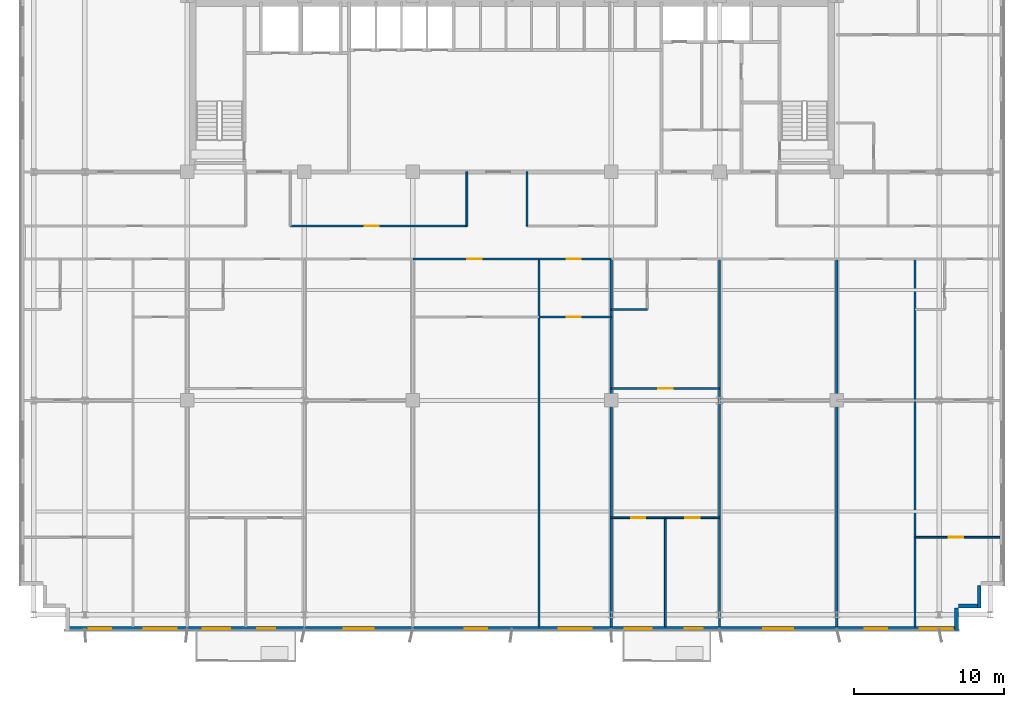
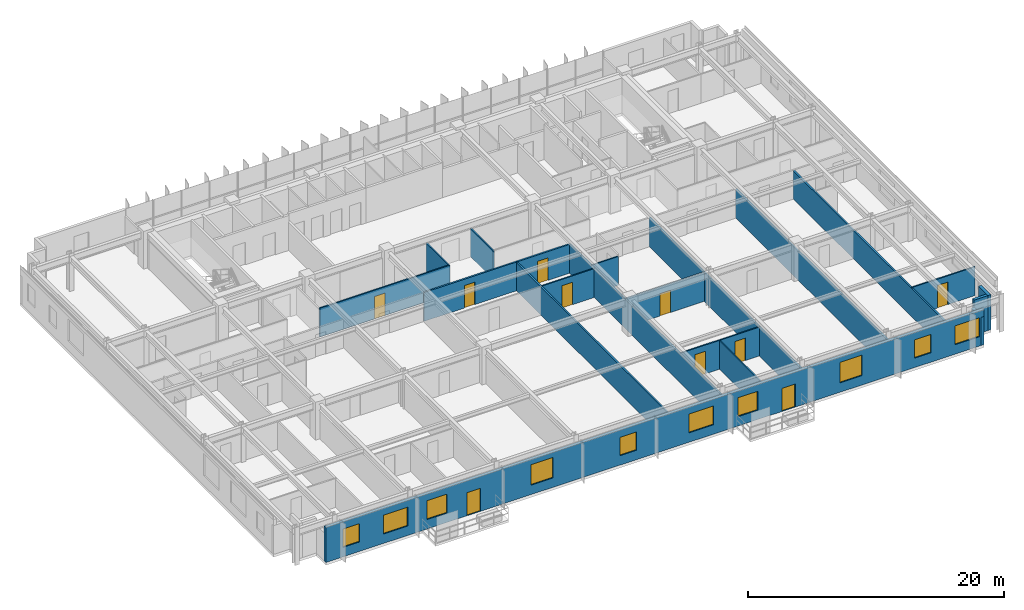
# One storey, part 16 of 22: 21 walls, 10 doors, 10 windows, 20 openings.
"""IFC4 building model written with IfcOpenShell, lengths in metres."""

from ifc_helpers import new_model, si_unit, direction, frame, frame_2d, origin, place, context, subcontext, project, spatial, rectangle, extrude, source, transform, mapped, material, layer, layer_set, type_object, element, fill, save


model = new_model("IFC4")

# Units and contexts
model_context = context("Model", 3, precision=1e-05, world=origin(), true_north=direction((0.0, 1.0)))
body_context = subcontext(model_context, "Body", "Model", "MODEL_VIEW")
ifc_project = project(units=[si_unit("LENGTHUNIT", "METRE"), si_unit("AREAUNIT", "SQUARE_METRE"), si_unit("VOLUMEUNIT", "CUBIC_METRE"), si_unit("PLANEANGLEUNIT", "RADIAN"), si_unit("MASSUNIT", "GRAM", prefix="KILO")], contexts=[model_context])

# Site, building, storey
site_placement = place(None, origin())
site = spatial("IfcSite", under=ifc_project, at=site_placement, CompositionType="ELEMENT")
building_placement = place(site_placement, origin())
building = spatial("IfcBuilding", under=site, at=building_placement, Name="Trelvane Seafront Commons", CompositionType="ELEMENT")
storey_placement = place(building_placement, frame((0.0, 0.0, 45.10009765625)))
storey = spatial("IfcBuildingStorey", under=building, at=storey_placement, Name="L11", CompositionType="ELEMENT", Elevation=45.10009765625)

# Walls
ifc_material_1 = material(Name="Precast concrete C40/50", Category="concrete")
ifc_layer_1 = layer(ifc_material_1, 0.260009765625, Name="ARCH-WALL-EXT260")
ifc_layer_set_1 = layer_set([ifc_layer_1], Name="Precast concrete C40/50")
wall_type_1 = type_object("IfcWallType", Name="ARCH-WALL-EXT260", PredefinedType="SOLIDWALL", material=ifc_layer_set_1)
for number, where, z_axis, x_axis, name in (
    (1, (68.27001953125, 5.89990234375, 0.0), (0.0, 0.0, 1.0), (0.0, -1.0, 0.0), "EW-L11-00187"),
    (2, (68.39990234375, 4.530029296875, 0.0), (0.0, 0.0, 1.0), (-1.0, 0.0, 0.0), "EW-L11-00188"),
):
    element("IfcWall", number, at=place(storey_placement, frame(where, z_axis=z_axis, x_axis=x_axis)), inside=storey, type_object=wall_type_1, Name=name, PredefinedType="SOLIDWALL", context=body_context, shape_type="SweptSolid", body=[
        extrude(rectangle(XDim=1.5, YDim=0.260009765625, at=frame_2d((0.75, 0.0))), origin(), (0.0, 0.0, 1.0), 3.33984375),
    ])
wall_1_placement = place(storey_placement, frame((66.77001953125, 4.39990234375, 0.0), z_axis=(0.0, 0.0, 1.0), x_axis=(0.0, -1.0, 0.0)))
element("IfcWall", 3, at=wall_1_placement, inside=storey, type_object=wall_type_1, Name="EW-L11-00189", PredefinedType="SOLIDWALL", context=body_context, shape_type="SweptSolid", body=[
    extrude(rectangle(XDim=1.5, YDim=0.260009765625, at=frame_2d((0.75, 0.0))), origin(), (0.0, 0.0, 1.0), 2.68994140625),
])

# Wall, openings, doors, windows
wall_2_placement = place(storey_placement, frame((66.89990234375, 3.030029296875, 0.0), z_axis=(0.0, 0.0, 1.0), x_axis=(-1.0, 0.0, 0.0)))
wall_2 = element("IfcWall", 4, at=wall_2_placement, inside=storey, type_object=wall_type_1, Name="EW-L11-00190", PredefinedType="SOLIDWALL", context=body_context, shape_type="SweptSolid", body=[
    extrude(rectangle(XDim=59.39990234375, YDim=0.260009765625, at=frame_2d((29.699951171875, 0.0))), origin(), (0.0, 0.0, 1.0), 3.33984375),
])
opening_1_placement = place(wall_2_placement, frame((0.39501953125, 0.0, 0.89990234375)))
opening_1 = element("IfcOpeningElement", 5, at=opening_1_placement, cuts=wall_2, Name="Opening W02", PredefinedType="OPENING", context=body_context, shape_type="SweptSolid", body=[
    extrude(rectangle(XDim=2.199951171875, YDim=1.800048828125, at=frame_2d((1.10009765625, 0.89990234375))), frame((0.0, 0.139892578125, 0.0), z_axis=(0.0, -1.0, 0.0), x_axis=(1.0, 0.0, 0.0)), (0.0, 0.0, 1.0), 0.280029296875),
])
opening_2_placement = place(wall_2_placement, frame((4.75, 0.0, 0.89990234375)))
opening_2 = element("IfcOpeningElement", 6, at=opening_2_placement, cuts=wall_2, Name="Opening W03", PredefinedType="OPENING", context=body_context, shape_type="SweptSolid", body=[
    extrude(rectangle(XDim=1.5, YDim=1.75, at=frame_2d((0.75, 0.875))), frame((0.0, 0.139892578125, 0.0), z_axis=(0.0, -1.0, 0.0), x_axis=(1.0, 0.0, 0.0)), (0.0, 0.0, 1.0), 0.280029296875),
])
opening_3_placement = place(wall_2_placement, frame((11.0, 0.0, 0.89990234375)))
opening_3 = element("IfcOpeningElement", 7, at=opening_3_placement, cuts=wall_2, Name="Opening W06", PredefinedType="OPENING", context=body_context, shape_type="SweptSolid", body=[
    extrude(rectangle(XDim=2.0, YDim=1.949951171875, at=frame_2d((1.0, 0.97509765625))), frame((0.0, 0.139892578125, 0.0), z_axis=(0.0, -1.0, 0.0), x_axis=(1.0, 0.0, 0.0)), (0.0, 0.0, 1.0), 0.280029296875),
])
opening_4_placement = place(wall_2_placement, frame((17.007080078125, 0.0, 0.0)))
opening_4 = element("IfcOpeningElement", 8, at=opening_4_placement, cuts=wall_2, Name="Opening BD-L11-30", PredefinedType="OPENING", context=body_context, shape_type="SweptSolid", body=[
    extrude(rectangle(XDim=1.199951171875, YDim=2.199951171875, at=frame_2d((0.60009765625, 1.10009765625))), frame((0.0, 0.139892578125, 0.0), z_axis=(0.0, -1.0, 0.0), x_axis=(1.0, 0.0, 0.0)), (0.0, 0.0, 1.0), 0.280029296875),
])
opening_5_placement = place(wall_2_placement, frame((20.39990234375, 0.0, 0.89990234375)))
opening_5 = element("IfcOpeningElement", 9, at=opening_5_placement, cuts=wall_2, Name="Opening W01", PredefinedType="OPENING", context=body_context, shape_type="SweptSolid", body=[
    extrude(rectangle(XDim=1.800048828125, YDim=1.800048828125, at=frame_2d((0.89990234375, 0.89990234375))), frame((0.0, 0.139892578125, 0.0), z_axis=(0.0, -1.0, 0.0), x_axis=(1.0, 0.0, 0.0)), (0.0, 0.0, 1.0), 0.280029296875),
])
opening_6_placement = place(wall_2_placement, frame((24.39990234375, 0.0, 0.89990234375)))
opening_6 = element("IfcOpeningElement", 10, at=opening_6_placement, cuts=wall_2, Name="Opening W02", PredefinedType="OPENING", context=body_context, shape_type="SweptSolid", body=[
    extrude(rectangle(XDim=2.199951171875, YDim=1.800048828125, at=frame_2d((1.10009765625, 0.89990234375))), frame((0.0, 0.139892578125, 0.0), z_axis=(0.0, -1.0, 0.0), x_axis=(1.0, 0.0, 0.0)), (0.0, 0.0, 1.0), 0.280029296875),
])
opening_7_placement = place(wall_2_placement, frame((31.35009765625, 0.0, 0.89990234375)))
opening_7 = element("IfcOpeningElement", 11, at=opening_7_placement, cuts=wall_2, Name="Opening W03", PredefinedType="OPENING", context=body_context, shape_type="SweptSolid", body=[
    extrude(rectangle(XDim=1.5, YDim=1.75, at=frame_2d((0.75, 0.875))), frame((0.0, 0.139892578125, 0.0), z_axis=(0.0, -1.0, 0.0), x_axis=(1.0, 0.0, 0.0)), (0.0, 0.0, 1.0), 0.280029296875),
])
opening_8_placement = place(wall_2_placement, frame((38.89990234375, 0.0, 0.89990234375)))
opening_8 = element("IfcOpeningElement", 12, at=opening_8_placement, cuts=wall_2, Name="Opening W06", PredefinedType="OPENING", context=body_context, shape_type="SweptSolid", body=[
    extrude(rectangle(XDim=2.0, YDim=1.949951171875, at=frame_2d((1.0, 0.97509765625))), frame((0.0, 0.139892578125, 0.0), z_axis=(0.0, -1.0, 0.0), x_axis=(1.0, 0.0, 0.0)), (0.0, 0.0, 1.0), 0.280029296875),
])
opening_9_placement = place(wall_2_placement, frame((45.43505859375, 0.0, 0.0)))
opening_9 = element("IfcOpeningElement", 13, at=opening_9_placement, cuts=wall_2, Name="Opening BD-L11-31", PredefinedType="OPENING", context=body_context, shape_type="SweptSolid", body=[
    extrude(rectangle(XDim=1.199951171875, YDim=2.199951171875, at=frame_2d((0.60009765625, 1.10009765625))), frame((0.0, 0.139892578125, 0.0), z_axis=(0.0, -1.0, 0.0), x_axis=(1.0, 0.0, 0.0)), (0.0, 0.0, 1.0), 0.280029296875),
])
opening_10_placement = place(wall_2_placement, frame((48.449951171875, 0.0, 0.89990234375)))
opening_10 = element("IfcOpeningElement", 14, at=opening_10_placement, cuts=wall_2, Name="Opening W01", PredefinedType="OPENING", context=body_context, shape_type="SweptSolid", body=[
    extrude(rectangle(XDim=1.800048828125, YDim=1.800048828125, at=frame_2d((0.89990234375, 0.89990234375))), frame((0.0, 0.139892578125, 0.0), z_axis=(0.0, -1.0, 0.0), x_axis=(1.0, 0.0, 0.0)), (0.0, 0.0, 1.0), 0.280029296875),
])
opening_11_placement = place(wall_2_placement, frame((52.0, 0.0, 0.89990234375)))
opening_11 = element("IfcOpeningElement", 15, at=opening_11_placement, cuts=wall_2, Name="Opening W02", PredefinedType="OPENING", context=body_context, shape_type="SweptSolid", body=[
    extrude(rectangle(XDim=2.199951171875, YDim=1.800048828125, at=frame_2d((1.10009765625, 0.89990234375))), frame((0.0, 0.139892578125, 0.0), z_axis=(0.0, -1.0, 0.0), x_axis=(1.0, 0.0, 0.0)), (0.0, 0.0, 1.0), 0.280029296875),
])
opening_12_placement = place(wall_2_placement, frame((56.35498046875, 0.0, 0.89990234375)))
opening_12 = element("IfcOpeningElement", 16, at=opening_12_placement, cuts=wall_2, Name="Opening W03", PredefinedType="OPENING", context=body_context, shape_type="SweptSolid", body=[
    extrude(rectangle(XDim=1.5, YDim=1.75, at=frame_2d((0.75, 0.875))), frame((0.0, 0.139892578125, 0.0), z_axis=(0.0, -1.0, 0.0), x_axis=(1.0, 0.0, 0.0)), (0.0, 0.0, 1.0), 0.280029296875),
])
ifc_material_2 = material(Name="Powder-coated aluminium frame", Category="aluminium")
door_type_1 = type_object("IfcDoorType", Name="ARCH-DR-BAL1200", OperationType="NOTDEFINED", PredefinedType="DOOR", material=ifc_material_2)
shared_shape_1 = source(origin(), body_context, "Body", "SweptSolid", [
    extrude(rectangle(XDim=1.199951171875, YDim=2.199951171875, at=frame_2d((0.60009765625, 1.10009765625))), frame((0.0, 0.02490234375, 0.0), z_axis=(0.0, -1.0, 0.0), x_axis=(1.0, 0.0, 0.0)), (0.0, 0.0, 1.0), 0.050048828125),
])
door_1_placement = place(opening_4_placement, origin())
door_1 = element("IfcDoor", 17, at=door_1_placement, inside=storey, type_object=door_type_1, Name="L11 Balcony Terrace Access Door", OperationType="SINGLE_SWING_LEFT", OverallHeight=2.199951171875, OverallWidth=1.199951171875, PredefinedType="DOOR", context=body_context, shape_type="MappedRepresentation", body=[
    mapped(shared_shape_1, transform((0.0, 0.0, 0.0), x_axis=(1.0, 0.0, 0.0), y_axis=(0.0, 1.0, 0.0), z_axis=(0.0, 0.0, 1.0), scale=1.0)),
])
fill(opening_4, door_1)
door_2_placement = place(opening_9_placement, origin())
door_2 = element("IfcDoor", 18, at=door_2_placement, inside=storey, type_object=door_type_1, Name="L11 Balcony Terrace Access Door", OperationType="SINGLE_SWING_LEFT", OverallHeight=2.199951171875, OverallWidth=1.199951171875, PredefinedType="DOOR", context=body_context, shape_type="MappedRepresentation", body=[
    mapped(shared_shape_1, transform((0.0, 0.0, 0.0), x_axis=(1.0, 0.0, 0.0), y_axis=(0.0, 1.0, 0.0), z_axis=(0.0, 0.0, 1.0), scale=1.0)),
])
fill(opening_9, door_2)
ifc_material_3 = material(Name="Low-E coastal double glazing", Category="glass")
window_type_1 = type_object("IfcWindowType", Name="ARCH-WIN-W02", PartitioningType="SINGLE_PANEL", PredefinedType="WINDOW", material=ifc_material_3)
shared_shape_2 = source(origin(), body_context, "Body", "SweptSolid", [
    extrude(rectangle(XDim=2.199951171875, YDim=1.800048828125, at=frame_2d((1.10009765625, 0.89990234375))), frame((0.0, 0.030029296875, 0.0), z_axis=(0.0, -1.0, 0.0), x_axis=(1.0, 0.0, 0.0)), (0.0, 0.0, 1.0), 0.06005859375),
])
window_1_placement = place(opening_1_placement, origin())
window_1 = element("IfcWindow", 19, at=window_1_placement, inside=storey, type_object=window_type_1, Name="WIN-L11-00226", OverallHeight=1.800048828125, OverallWidth=2.199951171875, PartitioningType="SINGLE_PANEL", PredefinedType="WINDOW", context=body_context, shape_type="MappedRepresentation", body=[
    mapped(shared_shape_2, transform((0.0, 0.0, 0.0), x_axis=(1.0, 0.0, 0.0), y_axis=(0.0, 1.0, 0.0), z_axis=(0.0, 0.0, 1.0), scale=1.0)),
])
fill(opening_1, window_1)
window_2_placement = place(opening_6_placement, origin())
window_2 = element("IfcWindow", 20, at=window_2_placement, inside=storey, type_object=window_type_1, Name="WIN-L11-00230", OverallHeight=1.800048828125, OverallWidth=2.199951171875, PartitioningType="SINGLE_PANEL", PredefinedType="WINDOW", context=body_context, shape_type="MappedRepresentation", body=[
    mapped(shared_shape_2, transform((0.0, 0.0, 0.0), x_axis=(1.0, 0.0, 0.0), y_axis=(0.0, 1.0, 0.0), z_axis=(0.0, 0.0, 1.0), scale=1.0)),
])
fill(opening_6, window_2)
window_3_placement = place(opening_11_placement, origin())
window_3 = element("IfcWindow", 21, at=window_3_placement, inside=storey, type_object=window_type_1, Name="WIN-L11-00234", OverallHeight=1.800048828125, OverallWidth=2.199951171875, PartitioningType="SINGLE_PANEL", PredefinedType="WINDOW", context=body_context, shape_type="MappedRepresentation", body=[
    mapped(shared_shape_2, transform((0.0, 0.0, 0.0), x_axis=(1.0, 0.0, 0.0), y_axis=(0.0, 1.0, 0.0), z_axis=(0.0, 0.0, 1.0), scale=1.0)),
])
fill(opening_11, window_3)
window_type_2 = type_object("IfcWindowType", Name="ARCH-WIN-W03", PartitioningType="SINGLE_PANEL", PredefinedType="WINDOW", material=ifc_material_3)
shared_shape_3 = source(origin(), body_context, "Body", "SweptSolid", [
    extrude(rectangle(XDim=1.5, YDim=1.75, at=frame_2d((0.75, 0.875))), frame((0.0, 0.030029296875, 0.0), z_axis=(0.0, -1.0, 0.0), x_axis=(1.0, 0.0, 0.0)), (0.0, 0.0, 1.0), 0.06005859375),
])
window_4_placement = place(opening_2_placement, origin())
window_4 = element("IfcWindow", 22, at=window_4_placement, inside=storey, type_object=window_type_2, Name="WIN-L11-00227", OverallHeight=1.75, OverallWidth=1.5, PartitioningType="SINGLE_PANEL", PredefinedType="WINDOW", context=body_context, shape_type="MappedRepresentation", body=[
    mapped(shared_shape_3, transform((0.0, 0.0, 0.0), x_axis=(1.0, 0.0, 0.0), y_axis=(0.0, 1.0, 0.0), z_axis=(0.0, 0.0, 1.0), scale=1.0)),
])
fill(opening_2, window_4)
window_5_placement = place(opening_7_placement, origin())
window_5 = element("IfcWindow", 23, at=window_5_placement, inside=storey, type_object=window_type_2, Name="WIN-L11-00231", OverallHeight=1.75, OverallWidth=1.5, PartitioningType="SINGLE_PANEL", PredefinedType="WINDOW", context=body_context, shape_type="MappedRepresentation", body=[
    mapped(shared_shape_3, transform((0.0, 0.0, 0.0), x_axis=(1.0, 0.0, 0.0), y_axis=(0.0, 1.0, 0.0), z_axis=(0.0, 0.0, 1.0), scale=1.0)),
])
fill(opening_7, window_5)
window_6_placement = place(opening_12_placement, origin())
window_6 = element("IfcWindow", 24, at=window_6_placement, inside=storey, type_object=window_type_2, Name="WIN-L11-00235", OverallHeight=1.75, OverallWidth=1.5, PartitioningType="SINGLE_PANEL", PredefinedType="WINDOW", context=body_context, shape_type="MappedRepresentation", body=[
    mapped(shared_shape_3, transform((0.0, 0.0, 0.0), x_axis=(1.0, 0.0, 0.0), y_axis=(0.0, 1.0, 0.0), z_axis=(0.0, 0.0, 1.0), scale=1.0)),
])
fill(opening_12, window_6)
window_type_3 = type_object("IfcWindowType", Name="ARCH-WIN-W06", PartitioningType="SINGLE_PANEL", PredefinedType="WINDOW", material=ifc_material_3)
shared_shape_4 = source(origin(), body_context, "Body", "SweptSolid", [
    extrude(rectangle(XDim=2.0, YDim=1.949951171875, at=frame_2d((1.0, 0.97509765625))), frame((0.0, 0.030029296875, 0.0), z_axis=(0.0, -1.0, 0.0), x_axis=(1.0, 0.0, 0.0)), (0.0, 0.0, 1.0), 0.06005859375),
])
window_7_placement = place(opening_3_placement, origin())
window_7 = element("IfcWindow", 25, at=window_7_placement, inside=storey, type_object=window_type_3, Name="WIN-L11-00228", OverallHeight=1.949951171875, OverallWidth=2.0, PartitioningType="SINGLE_PANEL", PredefinedType="WINDOW", context=body_context, shape_type="MappedRepresentation", body=[
    mapped(shared_shape_4, transform((0.0, 0.0, 0.0), x_axis=(1.0, 0.0, 0.0), y_axis=(0.0, 1.0, 0.0), z_axis=(0.0, 0.0, 1.0), scale=1.0)),
])
fill(opening_3, window_7)
window_8_placement = place(opening_8_placement, origin())
window_8 = element("IfcWindow", 26, at=window_8_placement, inside=storey, type_object=window_type_3, Name="WIN-L11-00232", OverallHeight=1.949951171875, OverallWidth=2.0, PartitioningType="SINGLE_PANEL", PredefinedType="WINDOW", context=body_context, shape_type="MappedRepresentation", body=[
    mapped(shared_shape_4, transform((0.0, 0.0, 0.0), x_axis=(1.0, 0.0, 0.0), y_axis=(0.0, 1.0, 0.0), z_axis=(0.0, 0.0, 1.0), scale=1.0)),
])
fill(opening_8, window_8)
window_type_4 = type_object("IfcWindowType", Name="ARCH-WIN-W01", PartitioningType="SINGLE_PANEL", PredefinedType="WINDOW", material=ifc_material_3)
shared_shape_5 = source(origin(), body_context, "Body", "SweptSolid", [
    extrude(rectangle(XDim=1.800048828125, YDim=1.800048828125, at=frame_2d((0.89990234375, 0.89990234375))), frame((0.0, 0.030029296875, 0.0), z_axis=(0.0, -1.0, 0.0), x_axis=(1.0, 0.0, 0.0)), (0.0, 0.0, 1.0), 0.06005859375),
])
window_9_placement = place(opening_5_placement, origin())
window_9 = element("IfcWindow", 27, at=window_9_placement, inside=storey, type_object=window_type_4, Name="WIN-L11-00229", OverallHeight=1.800048828125, OverallWidth=1.800048828125, PartitioningType="SINGLE_PANEL", PredefinedType="WINDOW", context=body_context, shape_type="MappedRepresentation", body=[
    mapped(shared_shape_5, transform((0.0, 0.0, 0.0), x_axis=(1.0, 0.0, 0.0), y_axis=(0.0, 1.0, 0.0), z_axis=(0.0, 0.0, 1.0), scale=1.0)),
])
fill(opening_5, window_9)
window_10_placement = place(opening_10_placement, origin())
window_10 = element("IfcWindow", 28, at=window_10_placement, inside=storey, type_object=window_type_4, Name="WIN-L11-00233", OverallHeight=1.800048828125, OverallWidth=1.800048828125, PartitioningType="SINGLE_PANEL", PredefinedType="WINDOW", context=body_context, shape_type="MappedRepresentation", body=[
    mapped(shared_shape_5, transform((0.0, 0.0, 0.0), x_axis=(1.0, 0.0, 0.0), y_axis=(0.0, 1.0, 0.0), z_axis=(0.0, 0.0, 1.0), scale=1.0)),
])
fill(opening_10, window_10)

# Wall, opening, door
ifc_material_4 = material(Name="Gypsum Drywall Acoustic Partition")
ifc_layer_2 = layer(ifc_material_4, 0.1201171875, Name="ARCH-WALL-PART120")
ifc_layer_set_2 = layer_set([ifc_layer_2], Name="Gypsum Drywall Acoustic Partition")
wall_type_2 = type_object("IfcWallType", Name="ARCH-WALL-PART120", PredefinedType="PARTITIONING", material=ifc_layer_set_2)
wall_3_placement = place(storey_placement, frame((22.449951171875, 29.800048828125, 0.0), z_axis=(0.0, 0.0, 1.0), x_axis=(1.0, 0.0, 0.0)))
wall_3 = element("IfcWall", 29, at=wall_3_placement, inside=storey, type_object=wall_type_2, Name="W-L11-CORR-N-M1-039", PredefinedType="PARTITIONING", context=body_context, shape_type="SweptSolid", body=[
    extrude(rectangle(XDim=11.75, YDim=0.1201171875, at=frame_2d((5.875, 0.0))), origin(), (0.0, 0.0, 1.0), 2.751953125),
])
opening_13_placement = place(wall_3_placement, frame((4.944091796875, 0.0, 0.0)))
opening_13 = element("IfcOpeningElement", 30, at=opening_13_placement, cuts=wall_3, Name="Opening D-L11-19", PredefinedType="OPENING", context=body_context, shape_type="SweptSolid", body=[
    extrude(rectangle(XDim=0.949951171875, YDim=2.14990234375, at=frame_2d((0.47509765625, 1.074951171875))), frame((0.0, 0.070068359375, 0.0), z_axis=(0.0, -1.0, 0.0), x_axis=(1.0, 0.0, 0.0)), (0.0, 0.0, 1.0), 0.14013671875),
])
ifc_material_5 = material(Name="Acoustic timber door leaf", Category="wood")
door_type_2 = type_object("IfcDoorType", Name="ARCH-DR-INT950", OperationType="NOTDEFINED", PredefinedType="DOOR", material=ifc_material_5)
shared_shape_6 = source(origin(), body_context, "Body", "SweptSolid", [
    extrude(rectangle(XDim=0.949951171875, YDim=2.14990234375, at=frame_2d((0.47509765625, 1.074951171875))), frame((0.0, 0.02490234375, 0.0), z_axis=(0.0, -1.0, 0.0), x_axis=(1.0, 0.0, 0.0)), (0.0, 0.0, 1.0), 0.050048828125),
])
door_3_placement = place(opening_13_placement, origin())
door_3 = element("IfcDoor", 31, at=door_3_placement, inside=storey, type_object=door_type_2, Name="L11 Door 19", OperationType="SINGLE_SWING_LEFT", OverallHeight=2.14990234375, OverallWidth=0.949951171875, PredefinedType="DOOR", context=body_context, shape_type="MappedRepresentation", body=[
    mapped(shared_shape_6, transform((0.0, 0.0, 0.0), x_axis=(1.0, 0.0, 0.0), y_axis=(0.0, 1.0, 0.0), z_axis=(0.0, 0.0, 1.0), scale=1.0)),
])
fill(opening_13, door_3)

# Walls
for number, where, z_axis, x_axis, name in (
    (32, (34.199951171875, 29.800048828125, 0.0), (0.0, 0.0, 1.0), (0.0, 1.0, 0.0), "W-L11-N-SPUR-M1-045"),
    (33, (38.199951171875, 29.800048828125, 0.0), (0.0, 0.0, 1.0), (0.0, 1.0, 0.0), "W-L11-N-SPUR-M2-046"),
):
    element("IfcWall", number, at=place(storey_placement, frame(where, z_axis=z_axis, x_axis=x_axis)), inside=storey, type_object=wall_type_2, Name=name, PredefinedType="PARTITIONING", context=body_context, shape_type="SweptSolid", body=[
        extrude(rectangle(XDim=3.599853515625, YDim=0.1201171875, at=frame_2d((1.7998046875, 0.0))), origin(), (0.0, 0.0, 1.0), 2.68994140625),
    ])

# Wall, opening, door
wall_4_placement = place(storey_placement, frame((39.0, 23.75, 0.0), z_axis=(0.0, 0.0, 1.0), x_axis=(1.0, 0.0, 0.0)))
wall_4 = element("IfcWall", 34, at=wall_4_placement, inside=storey, type_object=wall_type_2, Name="W-L11-U6-DIV-087", PredefinedType="PARTITIONING", context=body_context, shape_type="SweptSolid", body=[
    extrude(rectangle(XDim=4.800048828125, YDim=0.1201171875, at=frame_2d((2.39990234375, 0.0))), origin(), (0.0, 0.0, 1.0), 2.751953125),
])
opening_14_placement = place(wall_4_placement, frame((1.833984375, 0.0, 0.0)))
opening_14 = element("IfcOpeningElement", 35, at=opening_14_placement, cuts=wall_4, Name="Opening D-L11-47", PredefinedType="OPENING", context=body_context, shape_type="SweptSolid", body=[
    extrude(rectangle(XDim=0.949951171875, YDim=2.14990234375, at=frame_2d((0.47509765625, 1.074951171875))), frame((0.0, 0.070068359375, 0.0), z_axis=(0.0, -1.0, 0.0), x_axis=(1.0, 0.0, 0.0)), (0.0, 0.0, 1.0), 0.14013671875),
])
door_4_placement = place(opening_14_placement, origin())
door_4 = element("IfcDoor", 36, at=door_4_placement, inside=storey, type_object=door_type_2, Name="L11 Door 47", OperationType="SINGLE_SWING_LEFT", OverallHeight=2.14990234375, OverallWidth=0.949951171875, PredefinedType="DOOR", context=body_context, shape_type="MappedRepresentation", body=[
    mapped(shared_shape_6, transform((0.0, 0.0, 0.0), x_axis=(1.0, 0.0, 0.0), y_axis=(0.0, 1.0, 0.0), z_axis=(0.0, 0.0, 1.0), scale=1.0)),
])
fill(opening_14, door_4)

wall_5_placement = place(storey_placement, frame((43.800048828125, 19.0, 0.0), z_axis=(0.0, 0.0, 1.0), x_axis=(1.0, 0.0, 0.0)))
wall_5 = element("IfcWall", 37, at=wall_5_placement, inside=storey, type_object=wall_type_2, Name="W-L11-U7-KL-088", PredefinedType="PARTITIONING", context=body_context, shape_type="SweptSolid", body=[
    extrude(rectangle(XDim=7.199951171875, YDim=0.1201171875, at=frame_2d((3.60009765625, 0.0))), origin(), (0.0, 0.0, 1.0), 2.751953125),
])
opening_15_placement = place(wall_5_placement, frame((3.125, 0.0, 0.0)))
opening_15 = element("IfcOpeningElement", 38, at=opening_15_placement, cuts=wall_5, Name="Opening D-L11-48", PredefinedType="OPENING", context=body_context, shape_type="SweptSolid", body=[
    extrude(rectangle(XDim=0.949951171875, YDim=2.14990234375, at=frame_2d((0.47509765625, 1.074951171875))), frame((0.0, 0.070068359375, 0.0), z_axis=(0.0, -1.0, 0.0), x_axis=(1.0, 0.0, 0.0)), (0.0, 0.0, 1.0), 0.14013671875),
])
door_5_placement = place(opening_15_placement, origin())
door_5 = element("IfcDoor", 39, at=door_5_placement, inside=storey, type_object=door_type_2, Name="L11 Door 48", OperationType="SINGLE_SWING_RIGHT", OverallHeight=2.14990234375, OverallWidth=0.949951171875, PredefinedType="DOOR", context=body_context, shape_type="MappedRepresentation", body=[
    mapped(shared_shape_6, transform((0.0, 0.0, 0.0), x_axis=(1.0, 0.0, 0.0), y_axis=(0.0, 1.0, 0.0), z_axis=(0.0, 0.0, 1.0), scale=1.0)),
])
fill(opening_15, door_5)

# Wall
wall_6_placement = place(storey_placement, frame((43.800048828125, 24.25, 0.0), z_axis=(0.0, 0.0, 1.0), x_axis=(1.0, 0.0, 0.0)))
element("IfcWall", 40, at=wall_6_placement, inside=storey, type_object=wall_type_2, Name="W-L11-U7-BS-090", PredefinedType="PARTITIONING", context=body_context, shape_type="SweptSolid", body=[
    extrude(rectangle(XDim=2.39990234375, YDim=0.1201171875, at=frame_2d((1.199951171875, 0.0))), origin(), (0.0, 0.0, 1.0), 2.751953125),
])

# Wall, opening, door
wall_7_placement = place(storey_placement, frame((43.800048828125, 10.39990234375, 0.0), z_axis=(0.0, 0.0, 1.0), x_axis=(1.0, 0.0, 0.0)))
wall_7 = element("IfcWall", 41, at=wall_7_placement, inside=storey, type_object=wall_type_2, Name="W-L11-U7-YM-1-092", PredefinedType="PARTITIONING", context=body_context, shape_type="SweptSolid", body=[
    extrude(rectangle(XDim=3.599853515625, YDim=0.1201171875, at=frame_2d((1.7998046875, 0.0))), origin(), (0.0, 0.0, 1.0), 2.751953125),
])
opening_16_placement = place(wall_7_placement, frame((1.324951171875, 0.0, 0.0)))
opening_16 = element("IfcOpeningElement", 42, at=opening_16_placement, cuts=wall_7, Name="Opening D-L11-51", PredefinedType="OPENING", context=body_context, shape_type="SweptSolid", body=[
    extrude(rectangle(XDim=0.949951171875, YDim=2.14990234375, at=frame_2d((0.47509765625, 1.074951171875))), frame((0.0, 0.070068359375, 0.0), z_axis=(0.0, -1.0, 0.0), x_axis=(1.0, 0.0, 0.0)), (0.0, 0.0, 1.0), 0.14013671875),
])
door_6_placement = place(opening_16_placement, origin())
door_6 = element("IfcDoor", 43, at=door_6_placement, inside=storey, type_object=door_type_2, Name="L11 Door 51", OperationType="SINGLE_SWING_LEFT", OverallHeight=2.14990234375, OverallWidth=0.949951171875, PredefinedType="DOOR", context=body_context, shape_type="MappedRepresentation", body=[
    mapped(shared_shape_6, transform((0.0, 0.0, 0.0), x_axis=(1.0, 0.0, 0.0), y_axis=(0.0, 1.0, 0.0), z_axis=(0.0, 0.0, 1.0), scale=1.0)),
])
fill(opening_16, door_6)

wall_8_placement = place(storey_placement, frame((47.39990234375, 10.39990234375, 0.0), z_axis=(0.0, 0.0, 1.0), x_axis=(1.0, 0.0, 0.0)))
wall_8 = element("IfcWall", 44, at=wall_8_placement, inside=storey, type_object=wall_type_2, Name="W-L11-U7-YM-2-093", PredefinedType="PARTITIONING", context=body_context, shape_type="SweptSolid", body=[
    extrude(rectangle(XDim=3.60009765625, YDim=0.1201171875, at=frame_2d((1.800048828125, 0.0))), origin(), (0.0, 0.0, 1.0), 2.751953125),
])
opening_17_placement = place(wall_8_placement, frame((1.324951171875, 0.0, 0.0)))
opening_17 = element("IfcOpeningElement", 45, at=opening_17_placement, cuts=wall_8, Name="Opening D-L11-52", PredefinedType="OPENING", context=body_context, shape_type="SweptSolid", body=[
    extrude(rectangle(XDim=0.949951171875, YDim=2.14990234375, at=frame_2d((0.47509765625, 1.074951171875))), frame((0.0, 0.070068359375, 0.0), z_axis=(0.0, -1.0, 0.0), x_axis=(1.0, 0.0, 0.0)), (0.0, 0.0, 1.0), 0.14013671875),
])
door_7_placement = place(opening_17_placement, origin())
door_7 = element("IfcDoor", 46, at=door_7_placement, inside=storey, type_object=door_type_2, Name="L11 Door 52", OperationType="SINGLE_SWING_RIGHT", OverallHeight=2.14990234375, OverallWidth=0.949951171875, PredefinedType="DOOR", context=body_context, shape_type="MappedRepresentation", body=[
    mapped(shared_shape_6, transform((0.0, 0.0, 0.0), x_axis=(1.0, 0.0, 0.0), y_axis=(0.0, 1.0, 0.0), z_axis=(0.0, 0.0, 1.0), scale=1.0)),
])
fill(opening_17, door_7)

# Wall
wall_9_placement = place(storey_placement, frame((47.39990234375, 3.14501953125, 0.0), z_axis=(0.0, 0.0, 1.0), x_axis=(0.0, 1.0, 0.0)))
element("IfcWall", 47, at=wall_9_placement, inside=storey, type_object=wall_type_2, Name="W-L11-U7-BDV-1-094", PredefinedType="PARTITIONING", context=body_context, shape_type="SweptSolid", body=[
    extrude(rectangle(XDim=7.2548828125, YDim=0.1201171875, at=frame_2d((3.62744140625, 0.0))), origin(), (0.0, 0.0, 1.0), 2.68994140625),
])

# Wall, opening, door
wall_10_placement = place(storey_placement, frame((64.0, 9.10009765625, 0.0), z_axis=(0.0, 0.0, 1.0), x_axis=(1.0, 0.0, 0.0)))
wall_10 = element("IfcWall", 48, at=wall_10_placement, inside=storey, type_object=wall_type_2, Name="W-L11-U10-YM-1-103", PredefinedType="PARTITIONING", context=body_context, shape_type="SweptSolid", body=[
    extrude(rectangle(XDim=5.639892578125, YDim=0.1201171875, at=frame_2d((2.81982421875, 0.0))), origin(), (0.0, 0.0, 1.0), 2.751953125),
])
opening_18_placement = place(wall_10_placement, frame((2.2509765625, 0.0, 0.0)))
opening_18 = element("IfcOpeningElement", 49, at=opening_18_placement, cuts=wall_10, Name="Opening D-L11-60", PredefinedType="OPENING", context=body_context, shape_type="SweptSolid", body=[
    extrude(rectangle(XDim=0.949951171875, YDim=2.14990234375, at=frame_2d((0.47509765625, 1.074951171875))), frame((0.0, 0.070068359375, 0.0), z_axis=(0.0, -1.0, 0.0), x_axis=(1.0, 0.0, 0.0)), (0.0, 0.0, 1.0), 0.14013671875),
])
door_8_placement = place(opening_18_placement, origin())
door_8 = element("IfcDoor", 50, at=door_8_placement, inside=storey, type_object=door_type_2, Name="L11 Door 60", OperationType="SINGLE_SWING_RIGHT", OverallHeight=2.14990234375, OverallWidth=0.949951171875, PredefinedType="DOOR", context=body_context, shape_type="MappedRepresentation", body=[
    mapped(shared_shape_6, transform((0.0, 0.0, 0.0), x_axis=(1.0, 0.0, 0.0), y_axis=(0.0, 1.0, 0.0), z_axis=(0.0, 0.0, 1.0), scale=1.0)),
])
fill(opening_18, door_8)

# Walls
ifc_layer_3 = layer(ifc_material_4, 0.14990234375, Name="ARCH-WALL-PART150")
ifc_layer_set_3 = layer_set([ifc_layer_3], Name="Gypsum Drywall Acoustic Partition")
wall_type_3 = type_object("IfcWallType", Name="ARCH-WALL-PART150", PredefinedType="PARTITIONING", material=ifc_layer_set_3)
wall_11_placement = place(storey_placement, frame((39.0, 3.14501953125, 0.0), z_axis=(0.0, 0.0, 1.0), x_axis=(0.0, 1.0, 0.0)))
element("IfcWall", 51, at=wall_11_placement, inside=storey, type_object=wall_type_3, Name="W-L11-PW-5-063", PredefinedType="PARTITIONING", context=body_context, shape_type="SweptSolid", body=[
    extrude(rectangle(XDim=24.455078125, YDim=0.14990234375, at=frame_2d((12.2275390625, 0.0))), origin(), (0.0, 0.0, 1.0), 2.68994140625),
])
for number, where, z_axis, x_axis, name in (
    (52, (43.800048828125, 3.14501953125, 0.0), (0.0, 0.0, 1.0), (0.0, 1.0, 0.0), "W-L11-PW-6-064"),
    (53, (51.0, 3.14501953125, 0.0), (0.0, 0.0, 1.0), (0.0, 1.0, 0.0), "W-L11-PW-7-065"),
    (54, (58.800048828125, 3.14501953125, 0.0), (0.0, 0.0, 1.0), (0.0, 1.0, 0.0), "W-L11-PW-8-066"),
):
    element("IfcWall", number, at=place(storey_placement, frame(where, z_axis=z_axis, x_axis=x_axis)), inside=storey, type_object=wall_type_3, Name=name, PredefinedType="PARTITIONING", context=body_context, shape_type="SweptSolid", body=[
        extrude(rectangle(XDim=24.455078125, YDim=0.14990234375, at=frame_2d((12.2275390625, 0.0))), origin(), (0.0, 0.0, 1.0), 2.751953125),
    ])
wall_12_placement = place(storey_placement, frame((64.0, 3.14501953125, 0.0), z_axis=(0.0, 0.0, 1.0), x_axis=(0.0, 1.0, 0.0)))
element("IfcWall", 55, at=wall_12_placement, inside=storey, type_object=wall_type_3, Name="W-L11-PW-9-067", PredefinedType="PARTITIONING", context=body_context, shape_type="SweptSolid", body=[
    extrude(rectangle(XDim=24.455078125, YDim=0.14990234375, at=frame_2d((12.2275390625, 0.0))), origin(), (0.0, 0.0, 1.0), 2.68994140625),
])

# Wall, opening, door
wall_13_placement = place(storey_placement, frame((30.60009765625, 27.60009765625, 0.0), z_axis=(0.0, 0.0, 1.0), x_axis=(1.0, 0.0, 0.0)))
wall_13 = element("IfcWall", 56, at=wall_13_placement, inside=storey, type_object=wall_type_3, Name="W-L11-CS-BAY-5-084", PredefinedType="PARTITIONING", context=body_context, shape_type="SweptSolid", body=[
    extrude(rectangle(XDim=8.39990234375, YDim=0.14990234375, at=frame_2d((4.199951171875, 0.0))), origin(), (0.0, 0.0, 1.0), 2.751953125),
])
opening_19_placement = place(wall_13_placement, frame((3.635009765625, 0.0, 0.0)))
opening_19 = element("IfcOpeningElement", 57, at=opening_19_placement, cuts=wall_13, Name="Opening FD-L11-44", PredefinedType="OPENING", context=body_context, shape_type="SweptSolid", body=[
    extrude(rectangle(XDim=0.949951171875, YDim=2.14990234375, at=frame_2d((0.47509765625, 1.074951171875))), frame((0.0, 0.0849609375, 0.0), z_axis=(0.0, -1.0, 0.0), x_axis=(1.0, 0.0, 0.0)), (0.0, 0.0, 1.0), 0.169921875),
])
door_type_3 = type_object("IfcDoorType", Name="ARCH-DR-FD60-950", OperationType="NOTDEFINED", PredefinedType="DOOR", material=ifc_material_2)
door_9_placement = place(opening_19_placement, origin())
door_9 = element("IfcDoor", 58, at=door_9_placement, inside=storey, type_object=door_type_3, Name="L11 Bay 05 Entrance Door", OperationType="SINGLE_SWING_RIGHT", OverallHeight=2.14990234375, OverallWidth=0.949951171875, PredefinedType="DOOR", context=body_context, shape_type="MappedRepresentation", body=[
    mapped(shared_shape_6, transform((0.0, 0.0, 0.0), x_axis=(1.0, 0.0, 0.0), y_axis=(0.0, 1.0, 0.0), z_axis=(0.0, 0.0, 1.0), scale=1.0)),
])
fill(opening_19, door_9)

wall_14_placement = place(storey_placement, frame((39.0, 27.60009765625, 0.0), z_axis=(0.0, 0.0, 1.0), x_axis=(1.0, 0.0, 0.0)))
wall_14 = element("IfcWall", 59, at=wall_14_placement, inside=storey, type_object=wall_type_3, Name="W-L11-CS-BAY-6-086", PredefinedType="PARTITIONING", context=body_context, shape_type="SweptSolid", body=[
    extrude(rectangle(XDim=4.800048828125, YDim=0.14990234375, at=frame_2d((2.39990234375, 0.0))), origin(), (0.0, 0.0, 1.0), 2.751953125),
])
opening_20_placement = place(wall_14_placement, frame((1.833984375, 0.0, 0.0)))
opening_20 = element("IfcOpeningElement", 60, at=opening_20_placement, cuts=wall_14, Name="Opening FD-L11-46", PredefinedType="OPENING", context=body_context, shape_type="SweptSolid", body=[
    extrude(rectangle(XDim=0.949951171875, YDim=2.14990234375, at=frame_2d((0.47509765625, 1.074951171875))), frame((0.0, 0.0849609375, 0.0), z_axis=(0.0, -1.0, 0.0), x_axis=(1.0, 0.0, 0.0)), (0.0, 0.0, 1.0), 0.169921875),
])
door_10_placement = place(opening_20_placement, origin())
door_10 = element("IfcDoor", 61, at=door_10_placement, inside=storey, type_object=door_type_3, Name="L11 Bay 06 Entrance Door", OperationType="SINGLE_SWING_RIGHT", OverallHeight=2.14990234375, OverallWidth=0.949951171875, PredefinedType="DOOR", context=body_context, shape_type="MappedRepresentation", body=[
    mapped(shared_shape_6, transform((0.0, 0.0, 0.0), x_axis=(1.0, 0.0, 0.0), y_axis=(0.0, 1.0, 0.0), z_axis=(0.0, 0.0, 1.0), scale=1.0)),
])
fill(opening_20, door_10)

save(model, "model.ifc")
